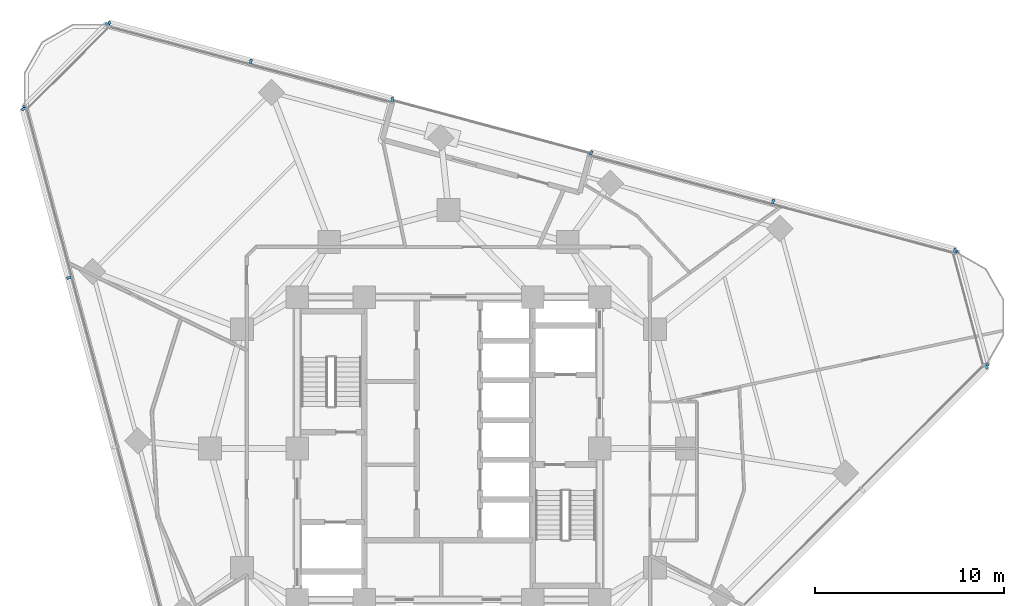
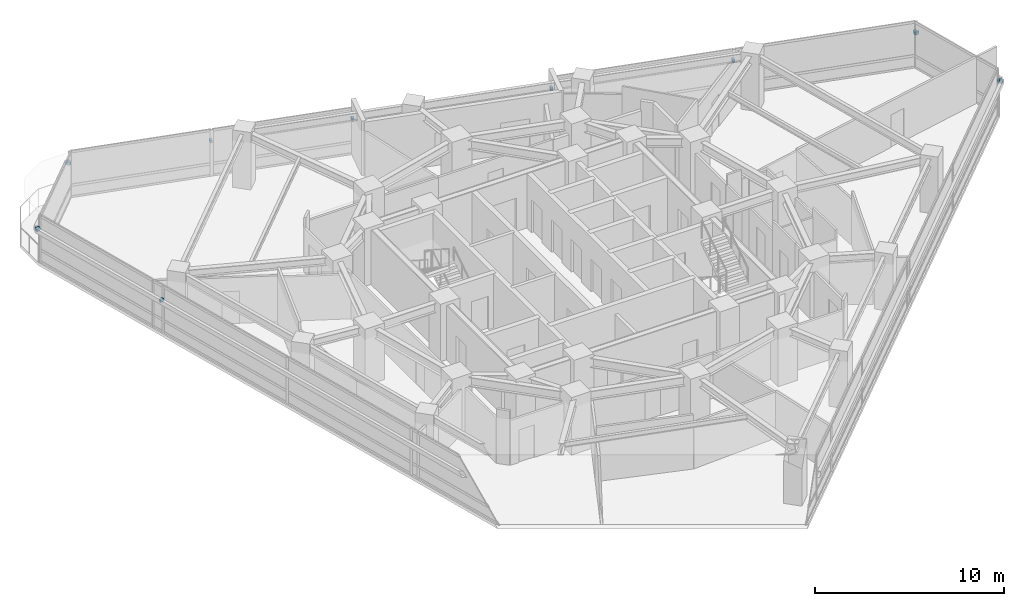
# One storey, part 10 of 14: 13 discrete accessories.
"""IFC4 building model written with IfcOpenShell, lengths in metres."""

from ifc_helpers import new_model, si_unit, direction, frame, origin, origin_2d, place, context, subcontext, project, spatial, rectangle, extrude, material, type_object, element, save


model = new_model("IFC4")

# Units and contexts
model_context = context("Model", 3, precision=1e-05, world=origin(), true_north=direction((0.0, 1.0)))
body_context = subcontext(model_context, "Body", "Model", "MODEL_VIEW")
ifc_project = project(units=[si_unit("LENGTHUNIT", "METRE"), si_unit("AREAUNIT", "SQUARE_METRE"), si_unit("VOLUMEUNIT", "CUBIC_METRE"), si_unit("PLANEANGLEUNIT", "RADIAN"), si_unit("MASSUNIT", "GRAM", prefix="KILO")], contexts=[model_context])

# Site, building, storey
site_placement = place(None, origin())
site = spatial("IfcSite", under=ifc_project, at=site_placement, CompositionType="ELEMENT")
building_placement = place(site_placement, origin())
building = spatial("IfcBuilding", under=site, at=building_placement, Name="Terralouvre Media Tower", CompositionType="ELEMENT")
storey_placement = place(building_placement, frame((0.0, 0.0, 191.60009765625)))
storey = spatial("IfcBuildingStorey", under=building, at=storey_placement, Name="L49", CompositionType="ELEMENT", Elevation=191.60009765625)

# Discrete accessories
ifc_material = material(Name="Anodised extruded aluminium 6063-T6", Category="aluminium")
discrete_accessory_type = type_object("IfcDiscreteAccessoryType", Name="Mullion Stand-Off Baguette Fixing Bracket BK-01", PredefinedType="BRACKET", material=ifc_material)
for number, where, z_axis, x_axis, name in (
    (1, (28.41552734375, 4.31298828125, 2.07373046875), (0.0, 0.0, 1.0), (0.707106781187, 0.707106781187, 0.0), "CW-L49-F0 Baguette Outrigger Bracket 1.06"),
    (2, (26.764892578125, 10.472412109375, 2.07373046875), (0.0, 0.0, 1.0), (-0.965925889535, 0.258818809065, 0.0), "CW-L49-F1L Baguette Outrigger Bracket 1.01"),
    (3, (17.151611328125, 13.04833984375, 2.07373046875), (0.0, 0.0, 1.0), (-0.965925889535, 0.258818809065, 0.0), "CW-L49-F1L Baguette Outrigger Bracket 1.02"),
    (4, (7.538330078125, 15.624267578125, 2.07373046875), (0.0, 0.0, 1.0), (-0.965925889535, 0.258818809065, 0.0), "CW-L49-F1L Baguette Outrigger Bracket 1.03"),
    (5, (-2.96630859375, 18.43896484375, 2.07373046875), (0.0, 0.0, 1.0), (-0.96592581908, 0.258819072009, 0.0), "CW-L49-F1R Baguette Outrigger Bracket 1.01"),
    (6, (-10.45458984375, 20.445556640625, 2.07373046875), (0.0, 0.0, 1.0), (-0.96592581908, 0.258819072009, 0.0), "CW-L49-F1R Baguette Outrigger Bracket 1.02"),
    (7, (-17.94287109375, 22.451904296875, 2.07373046875), (0.0, 0.0, 1.0), (-0.96592581908, 0.258819072009, 0.0), "CW-L49-F1R Baguette Outrigger Bracket 1.03"),
    (8, (-22.451904296875, 17.94287109375, 2.07373046875), (0.0, 0.0, 1.0), (0.25881903342, -0.96592582942, 0.0), "CW-L49-F2 Baguette Outrigger Bracket 1.01"),
    (9, (-20.06201171875, 9.02294921875, 2.07373046875), (0.0, 0.0, 1.0), (0.25881903342, -0.96592582942, 0.0), "CW-L49-F2 Baguette Outrigger Bracket 1.02"),
    (10, (28.42333984375, 4.4091796875, 2.07373046875), (0.0, 0.0, 1.0), (-0.258818728144, 0.965925911218, 0.0), "CW-L49-C1 Baguette Outrigger Bracket 1.01"),
    (11, (26.81982421875, 10.39306640625, 2.07373046875), (0.0, 0.0, 1.0), (-0.258818728144, 0.965925911218, 0.0), "CW-L49-C1 Baguette Outrigger Bracket 1.02"),
    (12, (-18.030029296875, 22.41064453125, 2.07373046875), (0.0, 0.0, 1.0), (-0.707106781187, -0.707106781187, 0.0), "CW-L49-C2 Baguette Outrigger Bracket 1.01"),
    (13, (-22.41064453125, 18.030029296875, 2.07373046875), (0.0, 0.0, 1.0), (-0.707106781187, -0.707106781187, 0.0), "CW-L49-C2 Baguette Outrigger Bracket 1.02"),
):
    element("IfcDiscreteAccessory", number, at=place(storey_placement, frame(where, z_axis=z_axis, x_axis=x_axis)), inside=storey, type_object=discrete_accessory_type, Name=name, PredefinedType="BRACKET", context=body_context, shape_type="SweptSolid", body=[
        extrude(rectangle(XDim=0.139892578125, YDim=0.239990234375, at=origin_2d()), origin(), (0.0, 0.0, 1.0), 0.179931640625),
    ])

save(model, "model.ifc")
